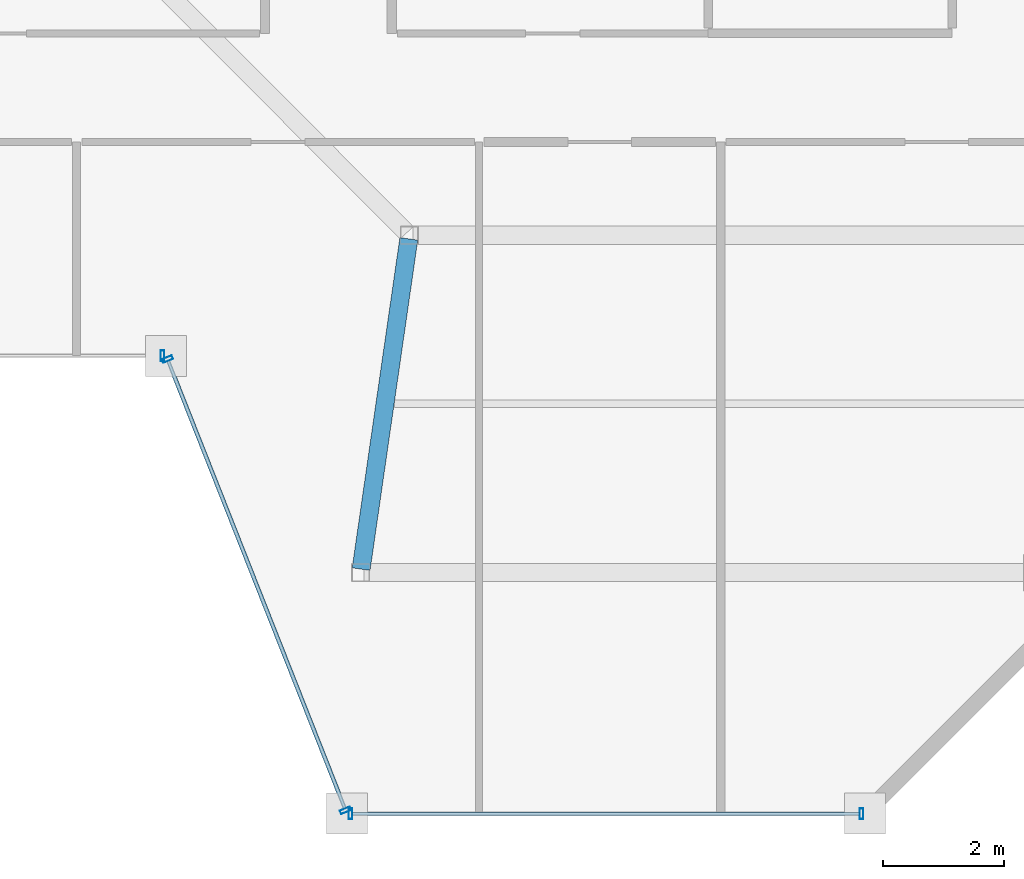
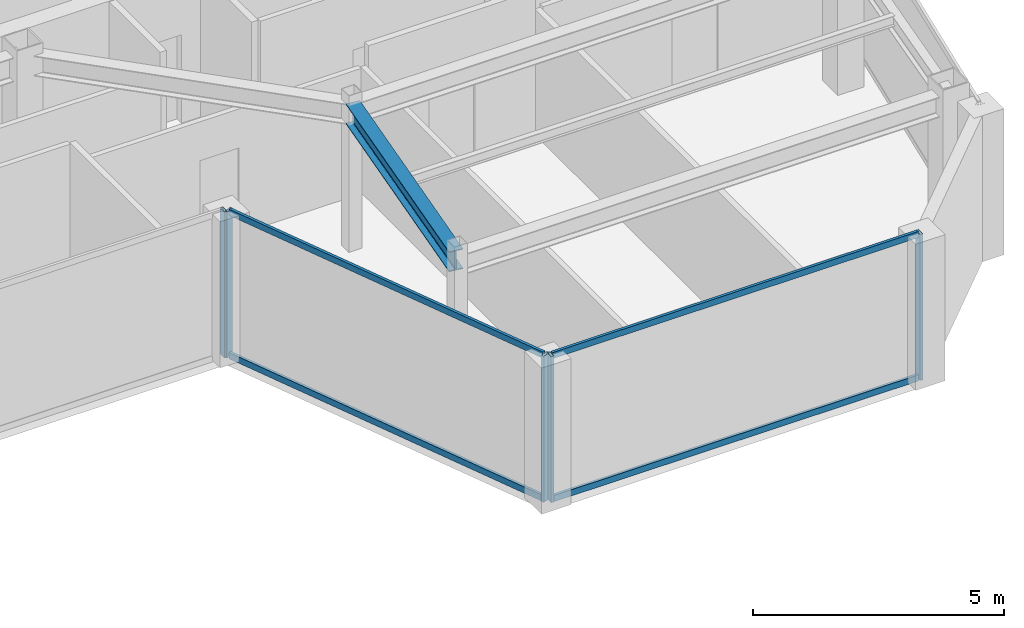
# One storey, part 11 of 23: 9 members, 1 beam, 3 elements without a shape of their own.
"""IFC4 building model written with IfcOpenShell, lengths in metres."""

from ifc_helpers import new_model, si_unit, direction, frame, origin, origin_2d, place, context, subcontext, project, spatial, hollow_rectangle, i_section, extrude, material, material_profile, profile_set, type_object, element, aggregate, save


model = new_model("IFC4")

# Units and contexts
model_context = context("Model", 3, precision=1e-05, world=origin(), true_north=direction((0.0, 1.0)))
body_context = subcontext(model_context, "Body", "Model", "MODEL_VIEW")
ifc_project = project(units=[si_unit("LENGTHUNIT", "METRE"), si_unit("AREAUNIT", "SQUARE_METRE"), si_unit("VOLUMEUNIT", "CUBIC_METRE"), si_unit("PLANEANGLEUNIT", "RADIAN"), si_unit("MASSUNIT", "GRAM", prefix="KILO")], contexts=[model_context])

# Site, building, storey
site_placement = place(None, origin())
site = spatial("IfcSite", under=ifc_project, at=site_placement, CompositionType="ELEMENT")
building_placement = place(site_placement, origin())
building = spatial("IfcBuilding", under=site, at=building_placement, Name="Saevonmaru Cultural Tower", CompositionType="ELEMENT")
storey_placement = place(building_placement, frame((0.0, 0.0, 280.0)))
storey = spatial("IfcBuildingStorey", under=building, at=storey_placement, Name="L66", CompositionType="ELEMENT", Elevation=280.0)

# Beam
ifc_material_1 = material(Name="Steel SM355", Category="steel")
ifc_material_profile_1 = material_profile(ifc_material_1, i_section(OverallWidth=0.300048828125, OverallDepth=0.488037109375, WebThickness=0.010986328125, FlangeThickness=0.01806640625, FilletRadius=0.02197265625, at=origin_2d()), Name="H-488x300x11x18")
ifc_profile_set_1 = profile_set([ifc_material_profile_1], Name="Steel SM355")
beam_type = type_object("IfcBeamType", Name="BM-G-H488", PredefinedType="BEAM", material=ifc_profile_set_1)
beam_placement = place(storey_placement, frame((40.3916015625, 32.059326171875, 3.305908203125), z_axis=(0.142964121327, 0.989727871697, 0.0), x_axis=(-0.989727871697, 0.142964121327, 0.0)))
element("IfcBeam", 1, at=beam_placement, inside=storey, type_object=beam_type, Name="L66 East Atrium Girder 1", PredefinedType="BEAM", context=body_context, shape_type="SweptSolid", body=[
    extrude(i_section(OverallWidth=0.300048828125, OverallDepth=0.488037109375, WebThickness=0.010986328125, FlangeThickness=0.01806640625, FilletRadius=0.02197265625, at=origin_2d()), origin(), (0.0, 0.0, 1.0), 5.5380859375),
])

# Curtain wall, member
ifc_material_2 = material(Name="Satin Bronze Anodised Aluminium", Category="aluminium")
curtain_wall_type = type_object("IfcCurtainWallType", Name="CW-TYP-B", PredefinedType="NOTDEFINED", material=ifc_material_2)
curtain_wall_1_placement = place(storey_placement, origin())
curtain_wall_1 = element("IfcCurtainWall", 2, at=curtain_wall_1_placement, inside=storey, type_object=curtain_wall_type, Name="L66 Unitised Curtain Wall E4", PredefinedType="NOTDEFINED")
ifc_material_profile_2 = material_profile(ifc_material_2, hollow_rectangle(XDim=0.06494140625, YDim=0.179931640625, WallThickness=0.00390625, at=origin_2d()), Name="ALU-MULL-180x65x4")
ifc_profile_set_2 = profile_set([ifc_material_profile_2], Name="Satin Bronze Anodised Aluminium")
member_type_1 = type_object("IfcMemberType", Name="ML-CW-180x65", PredefinedType="MULLION", material=ifc_profile_set_2)
member_1_placement = place(storey_placement, frame((37.095703125, 35.60009765625, 0.0), z_axis=(0.0, 0.0, 1.0), x_axis=(1.0, 0.0, 0.0)))
member_1 = element("IfcMember", 3, at=member_1_placement, type_object=member_type_1, Name="CW-TW-L66-E4 mullion 2", PredefinedType="MULLION", context=body_context, shape_type="SweptSolid", body=[
    extrude(hollow_rectangle(XDim=0.06494140625, YDim=0.179931640625, WallThickness=0.00390625, at=origin_2d()), origin(), (0.0, 0.0, 1.0), 3.550048828125),
])
aggregate(curtain_wall_1, [member_1])

# Curtain wall, members
curtain_wall_2_placement = place(storey_placement, origin())
curtain_wall_2 = element("IfcCurtainWall", 4, at=curtain_wall_2_placement, inside=storey, type_object=curtain_wall_type, Name="L66 Unitised Curtain Wall E5", PredefinedType="NOTDEFINED")
member_2_placement = place(storey_placement, frame((37.177490234375, 35.544189453125, 0.0), z_axis=(0.0, 0.0, 1.0), x_axis=(0.367172185578, -0.930152990716, 0.0)))
member_2 = element("IfcMember", 5, at=member_2_placement, type_object=member_type_1, Name="CW-TW-L66-E5 mullion 1", PredefinedType="MULLION", context=body_context, shape_type="SweptSolid", body=[
    extrude(hollow_rectangle(XDim=0.06494140625, YDim=0.179931640625, WallThickness=0.00390625, at=origin_2d()), origin(), (0.0, 0.0, 1.0), 3.550048828125),
])
member_3_placement = place(storey_placement, frame((40.133544921875, 28.055908203125, 0.0), z_axis=(0.0, 0.0, 1.0), x_axis=(0.367172185578, -0.930152990716, 0.0)))
member_3 = element("IfcMember", 6, at=member_3_placement, type_object=member_type_1, Name="CW-TW-L66-E5 mullion 2", PredefinedType="MULLION", context=body_context, shape_type="SweptSolid", body=[
    extrude(hollow_rectangle(XDim=0.06494140625, YDim=0.179931640625, WallThickness=0.00390625, at=origin_2d()), origin(), (0.0, 0.0, 1.0), 3.550048828125),
])

curtain_wall_3_placement = place(storey_placement, origin())
curtain_wall_3 = element("IfcCurtainWall", 7, at=curtain_wall_3_placement, inside=storey, type_object=curtain_wall_type, Name="L66 Unitised Curtain Wall E6", PredefinedType="NOTDEFINED")
member_4_placement = place(storey_placement, frame((40.215576171875, 28.0, 0.0), z_axis=(0.0, 0.0, 1.0), x_axis=(1.0, 0.0, 0.0)))
member_4 = element("IfcMember", 8, at=member_4_placement, type_object=member_type_1, Name="CW-TW-L66-E6 mullion 1", PredefinedType="MULLION", context=body_context, shape_type="SweptSolid", body=[
    extrude(hollow_rectangle(XDim=0.06494140625, YDim=0.179931640625, WallThickness=0.00390625, at=origin_2d()), origin(), (0.0, 0.0, 1.0), 3.550048828125),
])
member_5_placement = place(storey_placement, frame((48.695556640625, 28.0, 0.0), z_axis=(0.0, 0.0, 1.0), x_axis=(1.0, 0.0, 0.0)))
member_5 = element("IfcMember", 9, at=member_5_placement, type_object=member_type_1, Name="CW-TW-L66-E6 mullion 2", PredefinedType="MULLION", context=body_context, shape_type="SweptSolid", body=[
    extrude(hollow_rectangle(XDim=0.06494140625, YDim=0.179931640625, WallThickness=0.00390625, at=origin_2d()), origin(), (0.0, 0.0, 1.0), 3.550048828125),
])

# Member
ifc_material_profile_3 = material_profile(ifc_material_2, hollow_rectangle(XDim=0.06494140625, YDim=0.14990234375, WallThickness=0.00390625, at=origin_2d()), Name="ALU-TRAN-150x65x4")
ifc_profile_set_3 = profile_set([ifc_material_profile_3], Name="Satin Bronze Anodised Aluminium")
member_type_2 = type_object("IfcMemberType", Name="TR-CW-150x65", PredefinedType="USERDEFINED", material=ifc_profile_set_3)
member_6_placement = place(storey_placement, frame((37.189453125, 35.513916015625, 0.032470703125), z_axis=(0.367170015072, -0.930153847507, 0.0), x_axis=(0.930153847507, 0.367170015072, 0.0)))
member_6 = element("IfcMember", 10, at=member_6_placement, type_object=member_type_2, Name="CW-TW-L66-E5 transom 1.1", ObjectType="TRANSOM", PredefinedType="USERDEFINED", context=body_context, shape_type="SweptSolid", body=[
    extrude(hollow_rectangle(XDim=0.06494140625, YDim=0.14990234375, WallThickness=0.00390625, at=origin_2d()), origin(), (0.0, 0.0, 1.0), 7.98583984375),
])

member_7_placement = place(storey_placement, frame((37.189453125, 35.513916015625, 3.517578125), z_axis=(0.367170015072, -0.930153847507, 0.0), x_axis=(0.930153847507, 0.367170015072, 0.0)))
member_7 = element("IfcMember", 11, at=member_7_placement, type_object=member_type_2, Name="CW-TW-L66-E5 transom 1.2", ObjectType="TRANSOM", PredefinedType="USERDEFINED", context=body_context, shape_type="SweptSolid", body=[
    extrude(hollow_rectangle(XDim=0.06494140625, YDim=0.14990234375, WallThickness=0.00390625, at=origin_2d()), origin(), (0.0, 0.0, 1.0), 7.98583984375),
])

aggregate(curtain_wall_2, [member_2, member_3, member_6, member_7])

member_8_placement = place(storey_placement, frame((40.248046875, 28.0, 0.032470703125), z_axis=(1.0, 0.0, 0.0), x_axis=(0.0, 1.0, 0.0)))
member_8 = element("IfcMember", 12, at=member_8_placement, type_object=member_type_2, Name="CW-TW-L66-E6 transom 1.1", ObjectType="TRANSOM", PredefinedType="USERDEFINED", context=body_context, shape_type="SweptSolid", body=[
    extrude(hollow_rectangle(XDim=0.06494140625, YDim=0.14990234375, WallThickness=0.00390625, at=origin_2d()), origin(), (0.0, 0.0, 1.0), 8.4150390625),
])

member_9_placement = place(storey_placement, frame((40.248046875, 28.0, 3.517578125), z_axis=(1.0, 0.0, 0.0), x_axis=(0.0, 1.0, 0.0)))
member_9 = element("IfcMember", 13, at=member_9_placement, type_object=member_type_2, Name="CW-TW-L66-E6 transom 1.2", ObjectType="TRANSOM", PredefinedType="USERDEFINED", context=body_context, shape_type="SweptSolid", body=[
    extrude(hollow_rectangle(XDim=0.06494140625, YDim=0.14990234375, WallThickness=0.00390625, at=origin_2d()), origin(), (0.0, 0.0, 1.0), 8.4150390625),
])

aggregate(curtain_wall_3, [member_4, member_5, member_8, member_9])

save(model, "model.ifc")
